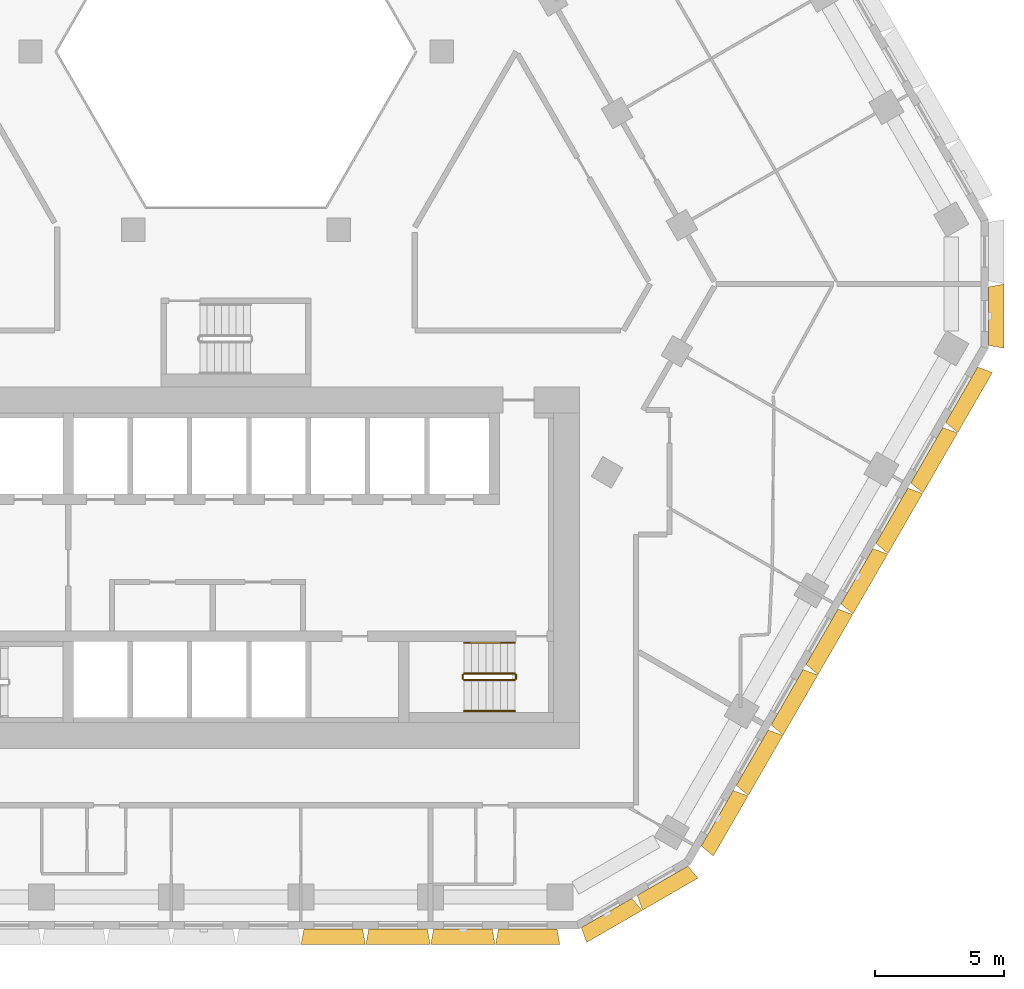
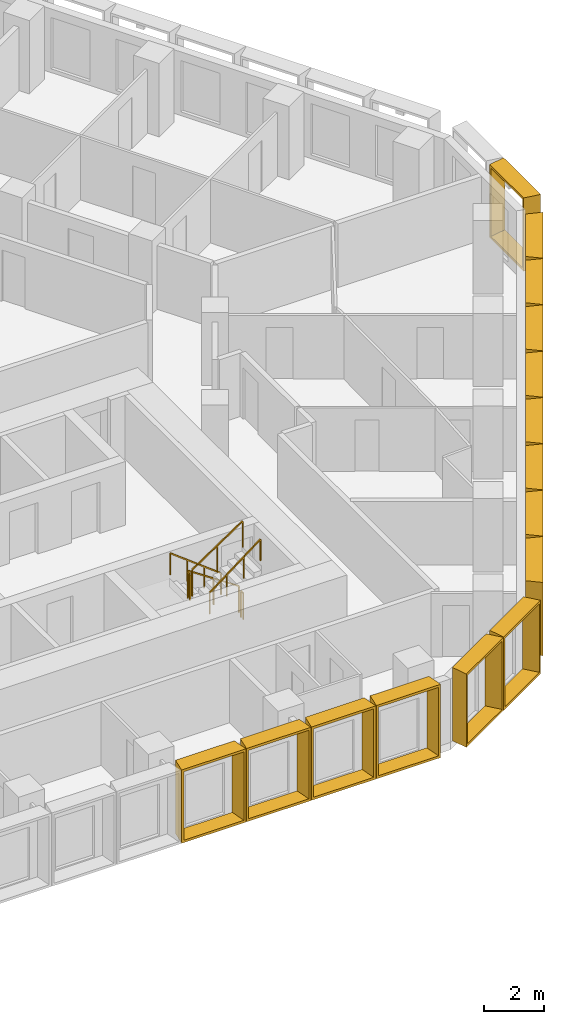
# One storey, part 17 of 18: 15 shading devices, 6 railings.
"""IFC4 building model written with IfcOpenShell, lengths in metres."""

from ifc_helpers import new_model, entity, si_unit, direction, frame, origin, origin_2d, place, context, subcontext, project, spatial, rectangle, extrude, source, transform, mapped, material, type_object, type_shapes, element, save


model = new_model("IFC4")

# Units and contexts
model_context = context("Model", 3, precision=1e-05, world=origin(), true_north=direction((0.0, 1.0)))
body_context = subcontext(model_context, "Body", "Model", "MODEL_VIEW")
ifc_project = project(units=[si_unit("LENGTHUNIT", "METRE"), si_unit("AREAUNIT", "SQUARE_METRE"), si_unit("VOLUMEUNIT", "CUBIC_METRE"), si_unit("PLANEANGLEUNIT", "RADIAN"), si_unit("MASSUNIT", "GRAM", prefix="KILO")], contexts=[model_context])

# Site, building, storey
site_placement = place(None, origin())
site = spatial("IfcSite", under=ifc_project, at=site_placement, CompositionType="ELEMENT")
building_placement = place(site_placement, origin())
building = spatial("IfcBuilding", under=site, at=building_placement, Name="Beryl Residences", CompositionType="ELEMENT")
storey_placement = place(building_placement, frame((0.0, 0.0, 105.0)))
storey = spatial("IfcBuildingStorey", under=building, at=storey_placement, Name="L32", CompositionType="ELEMENT", Elevation=105.0)

# Shading devices
ifc_material_1 = material(Name="Aluminium pale anodised", Category="aluminium")
shading_device_type_1 = type_object("IfcShadingDeviceType", Name="FR250-60A OUTER SKIN frame 600 mm deep, splay 10/10 deg, 2500 x 3000 mm cell", PredefinedType="USERDEFINED", material=ifc_material_1)
cartesian_point_1 = entity("IfcCartesianPoint", [-1.134033203125, 0.0])
cartesian_point_2 = entity("IfcCartesianPoint", [-1.052734375, 0.10009765625])
cartesian_point_3 = entity("IfcCartesianPoint", [-1.23974609375, 0.0])
cartesian_point_4 = entity("IfcCartesianPoint", [-1.158447265625, 0.10009765625])
shared_shape_1 = source(origin(), body_context, "Body", "SweptSolid", [
    entity("IfcExtrudedAreaSolidTapered", entity("IfcArbitraryProfileDefWithVoids", "AREA", None, entity("IfcPolyline", [cartesian_point_1, entity("IfcCartesianPoint", [1.134033203125, 0.0]), entity("IfcCartesianPoint", [1.134033203125, 3.0]), entity("IfcCartesianPoint", [-1.134033203125, 3.0]), cartesian_point_1]), [entity("IfcPolyline", [cartesian_point_2, entity("IfcCartesianPoint", [1.052734375, 0.10009765625]), entity("IfcCartesianPoint", [1.052734375, 2.89990234375]), entity("IfcCartesianPoint", [-1.052734375, 2.89990234375]), cartesian_point_2])]), entity("IfcAxis2Placement3D", entity("IfcCartesianPoint", [0.0, 0.0, 0.0]), entity("IfcDirection", [0.0, 1.0, 0.0]), entity("IfcDirection", [-1.0, 0.0, 0.0])), entity("IfcDirection", [0.0, 0.0, 1.0]), 0.60009765625, entity("IfcArbitraryProfileDefWithVoids", "AREA", None, entity("IfcPolyline", [cartesian_point_3, entity("IfcCartesianPoint", [1.23974609375, 0.0]), entity("IfcCartesianPoint", [1.23974609375, 3.0]), entity("IfcCartesianPoint", [-1.23974609375, 3.0]), cartesian_point_3]), [entity("IfcPolyline", [cartesian_point_4, entity("IfcCartesianPoint", [1.158447265625, 0.10009765625]), entity("IfcCartesianPoint", [1.158447265625, 2.89990234375]), entity("IfcCartesianPoint", [-1.158447265625, 2.89990234375]), cartesian_point_4])])),
])
type_shapes(shading_device_type_1, [shared_shape_1])
for number, where, z_axis, x_axis, name in (
    (1, (14.361083984375, -25.375, 0.0), (0.0, 0.0, 1.0), (-0.866025403784, -0.5, 0.0), "FR250-60A frame L32 S-SE 1"),
    (2, (16.527099609375, -24.125, 0.0), (0.0, 0.0, 1.0), (-0.866025403784, -0.5, 0.0), "FR250-60A frame L32 S-SE 2"),
    (3, (29.156982421875, -2.25, 0.0), (0.0, 0.0, 1.0), (0.0, -1.0, 0.0), "FR250-60A frame L32 SE-NE 1"),
):
    element("IfcShadingDevice", number, at=place(storey_placement, frame(where, z_axis=z_axis, x_axis=x_axis)), inside=storey, type_object=shading_device_type_1, Name=name, ObjectType="OUTER SKIN", PredefinedType="USERDEFINED", context=body_context, shape_type="MappedRepresentation", body=[
        mapped(shared_shape_1, transform((0.0, 0.0, 0.0))),
    ])
ifc_material_2 = material(Name="Aluminium pale anodised", Category="aluminium")
shading_device_type_2 = type_object("IfcShadingDeviceType", Name="FR251-60A OUTER SKIN frame 600 mm deep, splay 10/10 deg, 2510 x 3000 mm cell", PredefinedType="USERDEFINED", material=ifc_material_2)
cartesian_point_5 = entity("IfcCartesianPoint", [-1.138916015625, 0.0])
cartesian_point_6 = entity("IfcCartesianPoint", [-1.057861328125, 0.10009765625])
cartesian_point_7 = entity("IfcCartesianPoint", [-1.244873046875, 0.0])
cartesian_point_8 = entity("IfcCartesianPoint", [-1.16357421875, 0.10009765625])
shared_shape_2 = source(origin(), body_context, "Body", "SweptSolid", [
    entity("IfcExtrudedAreaSolidTapered", entity("IfcArbitraryProfileDefWithVoids", "AREA", None, entity("IfcPolyline", [cartesian_point_5, entity("IfcCartesianPoint", [1.138916015625, 0.0]), entity("IfcCartesianPoint", [1.138916015625, 3.0]), entity("IfcCartesianPoint", [-1.138916015625, 3.0]), cartesian_point_5]), [entity("IfcPolyline", [cartesian_point_6, entity("IfcCartesianPoint", [1.057861328125, 0.10009765625]), entity("IfcCartesianPoint", [1.057861328125, 2.89990234375]), entity("IfcCartesianPoint", [-1.057861328125, 2.89990234375]), cartesian_point_6])]), entity("IfcAxis2Placement3D", entity("IfcCartesianPoint", [0.0, 0.0, 0.0]), entity("IfcDirection", [0.0, 1.0, 0.0]), entity("IfcDirection", [-1.0, 0.0, 0.0])), entity("IfcDirection", [0.0, 0.0, 1.0]), 0.60009765625, entity("IfcArbitraryProfileDefWithVoids", "AREA", None, entity("IfcPolyline", [cartesian_point_7, entity("IfcCartesianPoint", [1.244873046875, 0.0]), entity("IfcCartesianPoint", [1.244873046875, 3.0]), entity("IfcCartesianPoint", [-1.244873046875, 3.0]), cartesian_point_7]), [entity("IfcPolyline", [cartesian_point_8, entity("IfcCartesianPoint", [1.16357421875, 0.10009765625]), entity("IfcCartesianPoint", [1.16357421875, 2.89990234375]), entity("IfcCartesianPoint", [-1.16357421875, 2.89990234375]), cartesian_point_8])])),
])
type_shapes(shading_device_type_2, [shared_shape_2])
for number, where, z_axis, x_axis, name in (
    (4, (3.76806640625, -26.0, 0.0), (0.0, 0.0, 1.0), (-1.0, 0.0, 0.0), "FR251-60A frame L32 S 7"),
    (5, (6.279052734375, -26.0, 0.0), (0.0, 0.0, 1.0), (-1.0, 0.0, 0.0), "FR251-60A frame L32 S 8"),
    (6, (8.791015625, -26.0, 0.0), (0.0, 0.0, 1.0), (-1.0, 0.0, 0.0), "FR251-60A frame L32 S 9"),
    (7, (11.302001953125, -26.0, 0.0), (0.0, 0.0, 1.0), (-1.0, 0.0, 0.0), "FR251-60A frame L32 S 10"),
):
    element("IfcShadingDevice", number, at=place(storey_placement, frame(where, z_axis=z_axis, x_axis=x_axis)), inside=storey, type_object=shading_device_type_2, Name=name, ObjectType="OUTER SKIN", PredefinedType="USERDEFINED", context=body_context, shape_type="MappedRepresentation", body=[
        mapped(shared_shape_2, transform((0.0, 0.0, 0.0))),
    ])
ifc_material_3 = material(Name="Aluminium pale anodised", Category="aluminium")
shading_device_type_3 = type_object("IfcShadingDeviceType", Name="FR271-60A OUTER SKIN frame 600 mm deep, splay 10/10 deg, 2710 x 3000 mm cell", PredefinedType="USERDEFINED", material=ifc_material_3)
cartesian_point_9 = entity("IfcCartesianPoint", [-1.239013671875, 0.0])
cartesian_point_10 = entity("IfcCartesianPoint", [-1.15771484375, 0.10009765625])
cartesian_point_11 = entity("IfcCartesianPoint", [-1.3447265625, 0.0])
cartesian_point_12 = entity("IfcCartesianPoint", [-1.263671875, 0.10009765625])
shared_shape_3 = source(origin(), body_context, "Body", "SweptSolid", [
    entity("IfcExtrudedAreaSolidTapered", entity("IfcArbitraryProfileDefWithVoids", "AREA", None, entity("IfcPolyline", [cartesian_point_9, entity("IfcCartesianPoint", [1.239013671875, 0.0]), entity("IfcCartesianPoint", [1.239013671875, 3.0]), entity("IfcCartesianPoint", [-1.239013671875, 3.0]), cartesian_point_9]), [entity("IfcPolyline", [cartesian_point_10, entity("IfcCartesianPoint", [1.15771484375, 0.10009765625]), entity("IfcCartesianPoint", [1.15771484375, 2.89990234375]), entity("IfcCartesianPoint", [-1.15771484375, 2.89990234375]), cartesian_point_10])]), entity("IfcAxis2Placement3D", entity("IfcCartesianPoint", [0.0, 0.0, 0.0]), entity("IfcDirection", [0.0, 1.0, 0.0]), entity("IfcDirection", [-1.0, 0.0, 0.0])), entity("IfcDirection", [0.0, 0.0, 1.0]), 0.60009765625, entity("IfcArbitraryProfileDefWithVoids", "AREA", None, entity("IfcPolyline", [cartesian_point_11, entity("IfcCartesianPoint", [1.3447265625, 0.0]), entity("IfcCartesianPoint", [1.3447265625, 3.0]), entity("IfcCartesianPoint", [-1.3447265625, 3.0]), cartesian_point_11]), [entity("IfcPolyline", [cartesian_point_12, entity("IfcCartesianPoint", [1.263671875, 0.10009765625]), entity("IfcCartesianPoint", [1.263671875, 2.89990234375]), entity("IfcCartesianPoint", [-1.263671875, 2.89990234375]), cartesian_point_12])])),
])
type_shapes(shading_device_type_3, [shared_shape_3])
for number, where, z_axis, x_axis, name in (
    (8, (18.64697265625, -21.7041015625, 0.0), (0.0, 0.0, 1.0), (-0.5, -0.866025403784, 0.0), "FR271-60A frame L32 SE 1"),
    (9, (20.0, -19.360107421875, 0.0), (0.0, 0.0, 1.0), (-0.5, -0.866025403784, 0.0), "FR271-60A frame L32 SE 2"),
    (10, (21.35302734375, -17.01611328125, 0.0), (0.0, 0.0, 1.0), (-0.5, -0.866025403784, 0.0), "FR271-60A frame L32 SE 3"),
    (11, (22.7060546875, -14.672119140625, 0.0), (0.0, 0.0, 1.0), (-0.5, -0.866025403784, 0.0), "FR271-60A frame L32 SE 4"),
    (12, (24.06005859375, -12.327880859375, 0.0), (0.0, 0.0, 1.0), (-0.5, -0.866025403784, 0.0), "FR271-60A frame L32 SE 5"),
    (13, (25.4130859375, -9.98388671875, 0.0), (0.0, 0.0, 1.0), (-0.5, -0.866025403784, 0.0), "FR271-60A frame L32 SE 6"),
    (14, (26.76611328125, -7.639892578125, 0.0), (0.0, 0.0, 1.0), (-0.5, -0.866025403784, 0.0), "FR271-60A frame L32 SE 7"),
    (15, (28.118896484375, -5.2958984375, 0.0), (0.0, 0.0, 1.0), (-0.5, -0.866025403784, 0.0), "FR271-60A frame L32 SE 8"),
):
    element("IfcShadingDevice", number, at=place(storey_placement, frame(where, z_axis=z_axis, x_axis=x_axis)), inside=storey, type_object=shading_device_type_3, Name=name, ObjectType="OUTER SKIN", PredefinedType="USERDEFINED", context=body_context, shape_type="MappedRepresentation", body=[
        mapped(shared_shape_3, transform((0.0, 0.0, 0.0))),
    ])

# Railings
ifc_material_4 = material(Name="Stainless steel balustrade with glass infill", Category="steel")
railing_type_1 = type_object("IfcRailingType", Name="SG1 stair guard 1100 mm", PredefinedType="GUARDRAIL", material=ifc_material_4)
railing_1_placement = place(storey_placement, frame((10.800048828125, -16.10009765625, 0.1875)))
element("IfcRailing", 16, at=railing_1_placement, inside=storey, type_object=railing_type_1, Name="L32 ST-3 stair guard 1", PredefinedType="GUARDRAIL", context=body_context, shape_type="SweptSolid", body=[
    extrude(rectangle(XDim=0.048095703125, YDim=0.048095703125, at=origin_2d()), frame((0.0, 0.0, 1.076171875), z_axis=(-0.830902050051, 0.0, 0.556418712142), x_axis=(0.0, -1.0, 0.0)), (0.0, 0.0, 1.0), 2.35888671875),
    extrude(rectangle(XDim=0.0419921875, YDim=0.0419921875, at=origin_2d()), origin(), (0.0, 0.0, 1.0), 1.052001953125),
    extrude(rectangle(XDim=0.0419921875, YDim=0.0419921875, at=origin_2d()), frame((-0.97998046875, 0.0, 0.65625)), (0.0, 0.0, 1.0), 1.052001953125),
    extrude(rectangle(XDim=0.0419921875, YDim=0.0419921875, at=origin_2d()), frame((-1.9599609375, 0.0, 1.3125)), (0.0, 0.0, 1.0), 1.052001953125),
])
railing_2_placement = place(storey_placement, frame((8.7900390625, -16.14990234375, 1.5)))
element("IfcRailing", 17, at=railing_2_placement, inside=storey, type_object=railing_type_1, Name="L32 ST-3 stair guard 2", PredefinedType="GUARDRAIL", context=body_context, shape_type="SweptSolid", body=[
    extrude(rectangle(XDim=0.048095703125, YDim=0.048095703125, at=origin_2d()), frame((0.0, 0.0, 1.076171875), z_axis=(0.0, -1.0, 0.0), x_axis=(1.0, 0.0, 0.0)), (0.0, 0.0, 1.0), 0.150146484375),
    extrude(rectangle(XDim=0.0419921875, YDim=0.0419921875, at=origin_2d()), origin(), (0.0, 0.0, 1.0), 1.052001953125),
    extrude(rectangle(XDim=0.0419921875, YDim=0.0419921875, at=origin_2d()), frame((0.0, -0.150146484375, 0.0)), (0.0, 0.0, 1.0), 1.052001953125),
])
railing_3_placement = place(storey_placement, frame((8.840087890625, -16.35009765625, 1.6875)))
element("IfcRailing", 18, at=railing_3_placement, inside=storey, type_object=railing_type_1, Name="L32 ST-3 stair guard 3", PredefinedType="GUARDRAIL", context=body_context, shape_type="SweptSolid", body=[
    extrude(rectangle(XDim=0.048095703125, YDim=0.048095703125, at=origin_2d()), frame((0.0, 0.0, 1.076171875), z_axis=(0.830902050051, 0.0, 0.556418712142), x_axis=(0.0, 1.0, 0.0)), (0.0, 0.0, 1.0), 2.35888671875),
    extrude(rectangle(XDim=0.0419921875, YDim=0.0419921875, at=origin_2d()), origin(), (0.0, 0.0, 1.0), 1.052001953125),
    extrude(rectangle(XDim=0.0419921875, YDim=0.0419921875, at=origin_2d()), frame((0.97998046875, 0.0, 0.65625)), (0.0, 0.0, 1.0), 1.052001953125),
    extrude(rectangle(XDim=0.0419921875, YDim=0.0419921875, at=origin_2d()), frame((1.9599609375, 0.0, 1.3125)), (0.0, 0.0, 1.0), 1.052001953125),
])
railing_4_placement = place(storey_placement, frame((10.85009765625, -16.14990234375, 0.0)))
element("IfcRailing", 19, at=railing_4_placement, inside=storey, type_object=railing_type_1, Name="L32 ST-3 stair guard 4", PredefinedType="GUARDRAIL", context=body_context, shape_type="SweptSolid", body=[
    extrude(rectangle(XDim=0.048095703125, YDim=0.048095703125, at=origin_2d()), frame((0.0, 0.0, 1.076171875), z_axis=(0.0, -1.0, 0.0), x_axis=(1.0, 0.0, 0.0)), (0.0, 0.0, 1.0), 0.150146484375),
    extrude(rectangle(XDim=0.0419921875, YDim=0.0419921875, at=origin_2d()), origin(), (0.0, 0.0, 1.0), 1.052001953125),
    extrude(rectangle(XDim=0.0419921875, YDim=0.0419921875, at=origin_2d()), frame((0.0, -0.150146484375, 0.0)), (0.0, 0.0, 1.0), 1.052001953125),
])
ifc_material_5 = material(Name="Stainless steel handrail", Category="steel")
railing_type_2 = type_object("IfcRailingType", Name="SRL1 stair handrail 900 mm", PredefinedType="HANDRAIL", material=ifc_material_5)
railing_5_placement = place(storey_placement, frame((10.800048828125, -14.89990234375, 0.1875)))
element("IfcRailing", 20, at=railing_5_placement, inside=storey, type_object=railing_type_2, Name="L32 ST-3 stair handrail 1", PredefinedType="HANDRAIL", context=body_context, shape_type="SweptSolid", body=[
    extrude(rectangle(XDim=0.048095703125, YDim=0.048095703125, at=origin_2d()), frame((0.0, 0.0, 0.8759765625), z_axis=(-0.794121922505, 0.0, 0.607758481798), x_axis=(0.0, -1.0, 0.0)), (0.0, 0.0, 1.0), 2.468017578125),
    extrude(rectangle(XDim=0.0419921875, YDim=0.0419921875, at=origin_2d()), origin(), (0.0, 0.0, 1.0), 0.851806640625),
    extrude(rectangle(XDim=0.0419921875, YDim=0.0419921875, at=origin_2d()), frame((-0.6533203125, 0.0, 0.5)), (0.0, 0.0, 1.0), 0.851806640625),
    extrude(rectangle(XDim=0.0419921875, YDim=0.0419921875, at=origin_2d()), frame((-1.306640625, 0.0, 1.0)), (0.0, 0.0, 1.0), 0.851806640625),
    extrude(rectangle(XDim=0.0419921875, YDim=0.0419921875, at=origin_2d()), frame((-1.9599609375, 0.0, 1.5)), (0.0, 0.0, 1.0), 0.851806640625),
])
railing_6_placement = place(storey_placement, frame((8.840087890625, -17.550048828125, 1.6875)))
element("IfcRailing", 21, at=railing_6_placement, inside=storey, type_object=railing_type_2, Name="L32 ST-3 stair handrail 2", PredefinedType="HANDRAIL", context=body_context, shape_type="SweptSolid", body=[
    extrude(rectangle(XDim=0.048095703125, YDim=0.048095703125, at=origin_2d()), frame((0.0, 0.0, 0.8759765625), z_axis=(0.794121922505, 0.0, 0.607758481798), x_axis=(0.0, 1.0, 0.0)), (0.0, 0.0, 1.0), 2.468017578125),
    extrude(rectangle(XDim=0.0419921875, YDim=0.0419921875, at=origin_2d()), origin(), (0.0, 0.0, 1.0), 0.851806640625),
    extrude(rectangle(XDim=0.0419921875, YDim=0.0419921875, at=origin_2d()), frame((0.6533203125, 0.0, 0.5)), (0.0, 0.0, 1.0), 0.851806640625),
    extrude(rectangle(XDim=0.0419921875, YDim=0.0419921875, at=origin_2d()), frame((1.306640625, 0.0, 1.0)), (0.0, 0.0, 1.0), 0.851806640625),
    extrude(rectangle(XDim=0.0419921875, YDim=0.0419921875, at=origin_2d()), frame((1.9599609375, 0.0, 1.5)), (0.0, 0.0, 1.0), 0.851806640625),
])

save(model, "model.ifc")
